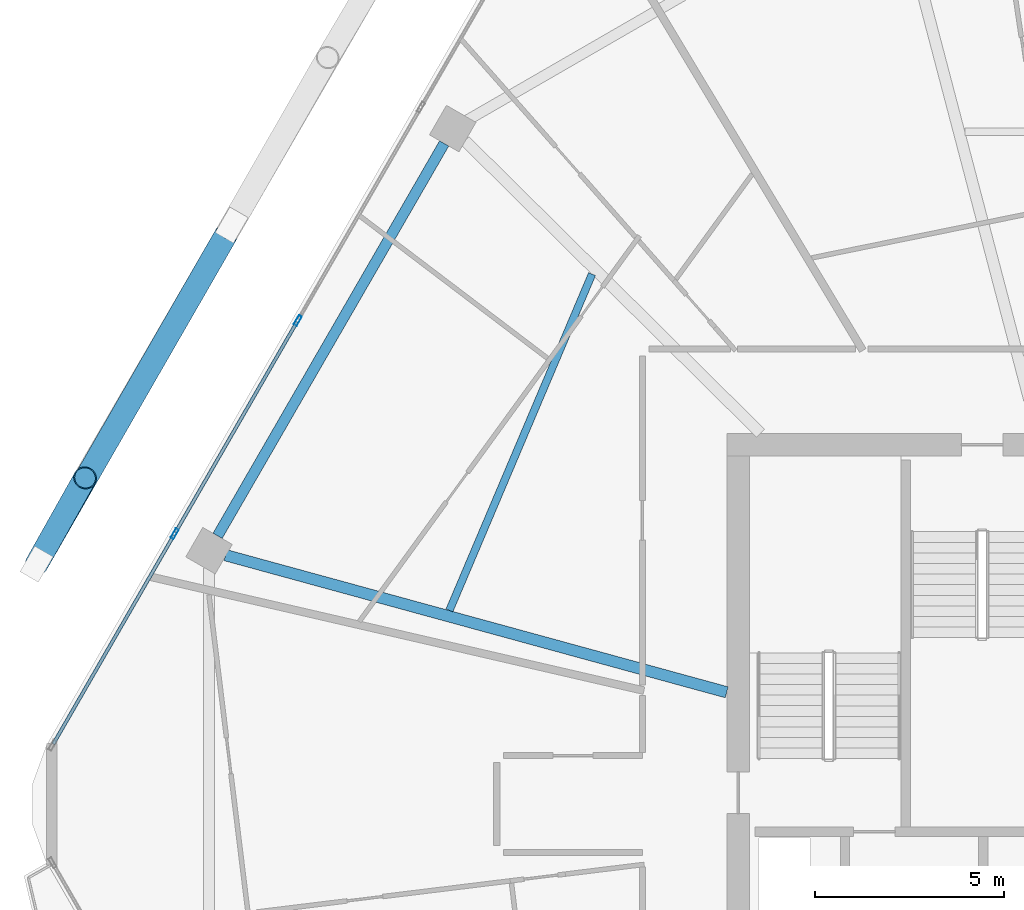
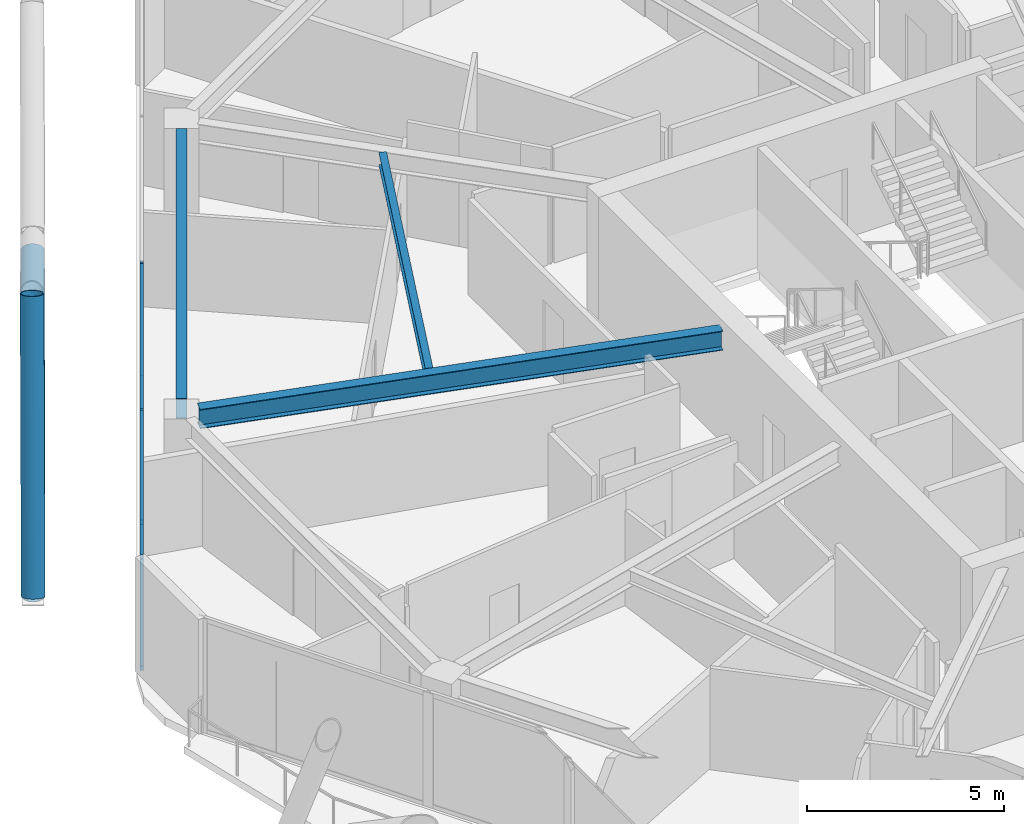
# One storey, part 12 of 27: 8 members, 3 beams, 1 element without a shape of its own.
"""IFC4 building model written with IfcOpenShell, lengths in metres."""

from ifc_helpers import new_model, si_unit, direction, frame, origin, origin_2d, place, context, subcontext, project, spatial, hollow_rectangle, hollow_circle, i_section, extrude, material, material_profile, profile_set, type_object, element, aggregate, save


model = new_model("IFC4")

# Units and contexts
model_context = context("Model", 3, precision=1e-05, world=origin(), true_north=direction((0.0, 1.0)))
body_context = subcontext(model_context, "Body", "Model", "MODEL_VIEW")
ifc_project = project(units=[si_unit("LENGTHUNIT", "METRE"), si_unit("AREAUNIT", "SQUARE_METRE"), si_unit("VOLUMEUNIT", "CUBIC_METRE"), si_unit("PLANEANGLEUNIT", "RADIAN"), si_unit("MASSUNIT", "GRAM", prefix="KILO")], contexts=[model_context])

# Site, building, storey
site_placement = place(None, origin())
site = spatial("IfcSite", under=ifc_project, at=site_placement, CompositionType="ELEMENT")
building_placement = place(site_placement, origin())
building = spatial("IfcBuilding", under=site, at=building_placement, Name="Zuhravey Tower", CompositionType="ELEMENT")
storey_placement = place(building_placement, frame((0.0, 0.0, 261.60009765625)))
storey = spatial("IfcBuildingStorey", under=building, at=storey_placement, Name="L66", CompositionType="ELEMENT", Elevation=261.60009765625)

# Curtain wall, members
ifc_material_1 = material(Name="Thermally broken anodised aluminium", Category="aluminium")
curtain_wall_type = type_object("IfcCurtainWallType", Name="Zone 3-4 High-Rise Curtain Wall CW4", PredefinedType="NOTDEFINED", material=ifc_material_1)
curtain_wall_placement = place(storey_placement, origin())
curtain_wall = element("IfcCurtainWall", 1, at=curtain_wall_placement, inside=storey, type_object=curtain_wall_type, Name="L66 CW4 CW-L66-F3-1", PredefinedType="NOTDEFINED")
ifc_material_2 = material(Name="Anodised aluminium", Category="aluminium")
ifc_material_profile_1 = material_profile(ifc_material_2, hollow_rectangle(XDim=0.090087890625, YDim=0.284912109375, WallThickness=0.0048828125, at=origin_2d()), Name="ALU-RHS-90x285x5")
ifc_profile_set_1 = profile_set([ifc_material_profile_1], Name="Anodised aluminium")
member_type_1 = type_object("IfcMemberType", Name="Curtain-Wall Mullion 90x180", PredefinedType="MULLION", material=ifc_profile_set_1)
member_1_placement = place(storey_placement, frame((10.608154296875, 39.147216796875, 0.0), z_axis=(0.0, 0.0, 1.0), x_axis=(-0.866024851021, 0.500000957414, 0.0)))
member_1 = element("IfcMember", 2, at=member_1_placement, type_object=member_type_1, Name="CW4 mullion 2", PredefinedType="MULLION", context=body_context, shape_type="SweptSolid", body=[
    extrude(hollow_rectangle(XDim=0.090087890625, YDim=0.284912109375, WallThickness=0.0048828125, at=origin_2d()), origin(), (0.0, 0.0, 1.0), 3.5498046875),
])
member_2_placement = place(storey_placement, frame((13.861328125, 44.78173828125, 0.0), z_axis=(0.0, 0.0, 1.0), x_axis=(-0.866024851021, 0.500000957414, 0.0)))
member_2 = element("IfcMember", 3, at=member_2_placement, type_object=member_type_1, Name="CW4 mullion 3", PredefinedType="MULLION", context=body_context, shape_type="SweptSolid", body=[
    extrude(hollow_rectangle(XDim=0.090087890625, YDim=0.284912109375, WallThickness=0.0048828125, at=origin_2d()), origin(), (0.0, 0.0, 1.0), 3.5498046875),
])
ifc_material_profile_2 = material_profile(ifc_material_2, hollow_rectangle(XDim=0.090087890625, YDim=0.14990234375, WallThickness=0.0048828125, at=origin_2d()), Name="ALU-RHS-90x150x5")
ifc_profile_set_2 = profile_set([ifc_material_profile_2], Name="Anodised aluminium")
member_type_2 = type_object("IfcMemberType", Name="Curtain-Wall Transom 90x150", PredefinedType="USERDEFINED", material=ifc_profile_set_2)
member_3_placement = place(storey_placement, frame((7.39990234375, 33.59033203125, 0.044921875), z_axis=(0.500008810174, 0.866020317169, 0.0), x_axis=(-0.866020317169, 0.500008810174, 0.0)))
member_3 = element("IfcMember", 4, at=member_3_placement, type_object=member_type_2, Name="CW4 transom 1.1", ObjectType="TRANSOM", PredefinedType="USERDEFINED", context=body_context, shape_type="SweptSolid", body=[
    extrude(hollow_rectangle(XDim=0.090087890625, YDim=0.14990234375, WallThickness=0.0048828125, at=origin_2d()), origin(), (0.0, 0.0, 1.0), 6.37158203125),
])
member_4_placement = place(storey_placement, frame((7.39990234375, 33.59033203125, 3.5048828125), z_axis=(0.500008810174, 0.866020317169, 0.0), x_axis=(-0.866020317169, 0.500008810174, 0.0)))
member_4 = element("IfcMember", 5, at=member_4_placement, type_object=member_type_2, Name="CW4 transom 1.2", ObjectType="TRANSOM", PredefinedType="USERDEFINED", context=body_context, shape_type="SweptSolid", body=[
    extrude(hollow_rectangle(XDim=0.090087890625, YDim=0.14990234375, WallThickness=0.0048828125, at=origin_2d()), origin(), (0.0, 0.0, 1.0), 6.37158203125),
])
member_5_placement = place(storey_placement, frame((10.630615234375, 39.18603515625, 0.044921875), z_axis=(0.499998017366, 0.866026548456, 0.0), x_axis=(-0.866026548456, 0.499998017366, 0.0)))
member_5 = element("IfcMember", 6, at=member_5_placement, type_object=member_type_2, Name="CW4 transom 2.1", ObjectType="TRANSOM", PredefinedType="USERDEFINED", context=body_context, shape_type="SweptSolid", body=[
    extrude(hollow_rectangle(XDim=0.090087890625, YDim=0.14990234375, WallThickness=0.0048828125, at=origin_2d()), origin(), (0.0, 0.0, 1.0), 6.41650390625),
])
member_6_placement = place(storey_placement, frame((10.630615234375, 39.18603515625, 3.5048828125), z_axis=(0.499998017366, 0.866026548456, 0.0), x_axis=(-0.866026548456, 0.499998017366, 0.0)))
member_6 = element("IfcMember", 7, at=member_6_placement, type_object=member_type_2, Name="CW4 transom 2.2", ObjectType="TRANSOM", PredefinedType="USERDEFINED", context=body_context, shape_type="SweptSolid", body=[
    extrude(hollow_rectangle(XDim=0.090087890625, YDim=0.14990234375, WallThickness=0.0048828125, at=origin_2d()), origin(), (0.0, 0.0, 1.0), 6.41650390625),
])
aggregate(curtain_wall, [member_1, member_2, member_3, member_4, member_5, member_6])

# Members
ifc_material_3 = material(Name="Steel SM355", Category="steel")
ifc_material_profile_3 = material_profile(ifc_material_3, hollow_circle(Radius=0.3046875, WallThickness=0.028076171875, at=origin_2d()), Name="CHS-609.6x28")
ifc_profile_set_3 = profile_set([ifc_material_profile_3], Name="Steel SM355")
member_type_3 = type_object("IfcMemberType", Name="Exoskeleton Zone 3 Diagrid CHS610x28", PredefinedType="BRACE", material=ifc_profile_set_3)
member_7_placement = place(storey_placement, frame((6.959716796875, 38.347900390625, -0.446044921875), z_axis=(0.159795415744, 0.28422652237, 0.945346872364), x_axis=(-0.871682978645, 0.490070183485, 0.0)))
element("IfcMember", 8, at=member_7_placement, inside=storey, type_object=member_type_3, Name="L66 Face 3 Diagrid Brace 4", PredefinedType="BRACE", context=body_context, shape_type="SweptSolid", body=[
    extrude(hollow_circle(Radius=0.3046875, WallThickness=0.028076171875, at=origin_2d()), origin(), (0.0, 0.0, 1.0), 8.001220703125),
])
member_8_placement = place(storey_placement, frame((6.9755859375, 38.375732421875, -0.449951171875), z_axis=(0.468147590084, 0.813537596363, 0.344955668459), x_axis=(-0.866738916428, 0.498762118398, 0.0)))
element("IfcMember", 9, at=member_8_placement, inside=storey, type_object=member_type_3, Name="L66 Face 3 Split Diagrid Brace 3A", PredefinedType="BRACE", context=body_context, shape_type="SweptSolid", body=[
    extrude(hollow_circle(Radius=0.3046875, WallThickness=0.028076171875, at=origin_2d()), origin(), (0.0, 0.0, 1.0), 10.679931640625),
])

# Beams
ifc_material_profile_4 = material_profile(ifc_material_3, i_section(OverallWidth=0.280029296875, OverallDepth=0.6201171875, WebThickness=0.011962890625, FlangeThickness=0.02001953125, at=origin_2d()), Name="H-620x280x12x20")
ifc_profile_set_4 = profile_set([ifc_material_profile_4], Name="Steel SM355")
beam_type_1 = type_object("IfcBeamType", Name="Perimeter Ring Beam H620x280", PredefinedType="BEAM", material=ifc_profile_set_4)
beam_1_placement = place(storey_placement, frame((17.72998046875, 49.46240234375, 3.239990234375), z_axis=(-0.500017744717, -0.866015158625, 0.0), x_axis=(0.866015158625, -0.500017744717, 0.0)))
element("IfcBeam", 10, at=beam_1_placement, inside=storey, type_object=beam_type_1, Name="L66 PB3 BM-L66-PB-05", PredefinedType="BEAM", context=body_context, shape_type="SweptSolid", body=[
    extrude(i_section(OverallWidth=0.280029296875, OverallDepth=0.6201171875, WebThickness=0.011962890625, FlangeThickness=0.02001953125, at=origin_2d()), origin(), (0.0, 0.0, 1.0), 11.9755859375),
])
ifc_material_profile_5 = material_profile(ifc_material_3, i_section(OverallWidth=0.300048828125, OverallDepth=0.60009765625, WebThickness=0.011962890625, FlangeThickness=0.02001953125, at=origin_2d()), Name="H-600x300x12x20")
ifc_profile_set_5 = profile_set([ifc_material_profile_5], Name="Steel SM355")
beam_type_2 = type_object("IfcBeamType", Name="Radial Primary Girder H600x300", PredefinedType="BEAM", material=ifc_profile_set_5)
beam_2_placement = place(storey_placement, frame((25.197021484375, 34.95556640625, 3.25), z_axis=(-0.964548913045, 0.26390413855, 0.0), x_axis=(-0.26390413855, -0.964548913045, 0.0)))
element("IfcBeam", 11, at=beam_2_placement, inside=storey, type_object=beam_type_2, Name="L66 RG3 BM-L66-RAD-06", PredefinedType="BEAM", context=body_context, shape_type="SweptSolid", body=[
    extrude(i_section(OverallWidth=0.300048828125, OverallDepth=0.60009765625, WebThickness=0.011962890625, FlangeThickness=0.02001953125, at=origin_2d()), origin(), (0.0, 0.0, 1.0), 13.7314453125),
])
ifc_material_profile_6 = material_profile(ifc_material_3, i_section(OverallWidth=0.199951171875, OverallDepth=0.39990234375, WebThickness=0.008056640625, FlangeThickness=0.012939453125, at=origin_2d()), Name="H-400x200x8x13")
ifc_profile_set_6 = profile_set([ifc_material_profile_6], Name="Steel SM355")
beam_type_3 = type_object("IfcBeamType", Name="Secondary Floor Joist H400x200", PredefinedType="JOIST", material=ifc_profile_set_6)
beam_3_placement = place(storey_placement, frame((21.63916015625, 46.009033203125, 3.349853515625), z_axis=(-0.390413493754, -0.920639616731, 0.0), x_axis=(0.920639616731, -0.390413493754, 0.0)))
element("IfcBeam", 12, at=beam_3_placement, inside=storey, type_object=beam_type_3, Name="L66 SJ2 BM-L66-SJ-05-1", PredefinedType="JOIST", context=body_context, shape_type="SweptSolid", body=[
    extrude(i_section(OverallWidth=0.199951171875, OverallDepth=0.39990234375, WebThickness=0.008056640625, FlangeThickness=0.012939453125, at=origin_2d()), origin(), (0.0, 0.0, 1.0), 9.656494140625),
])

save(model, "model.ifc")
